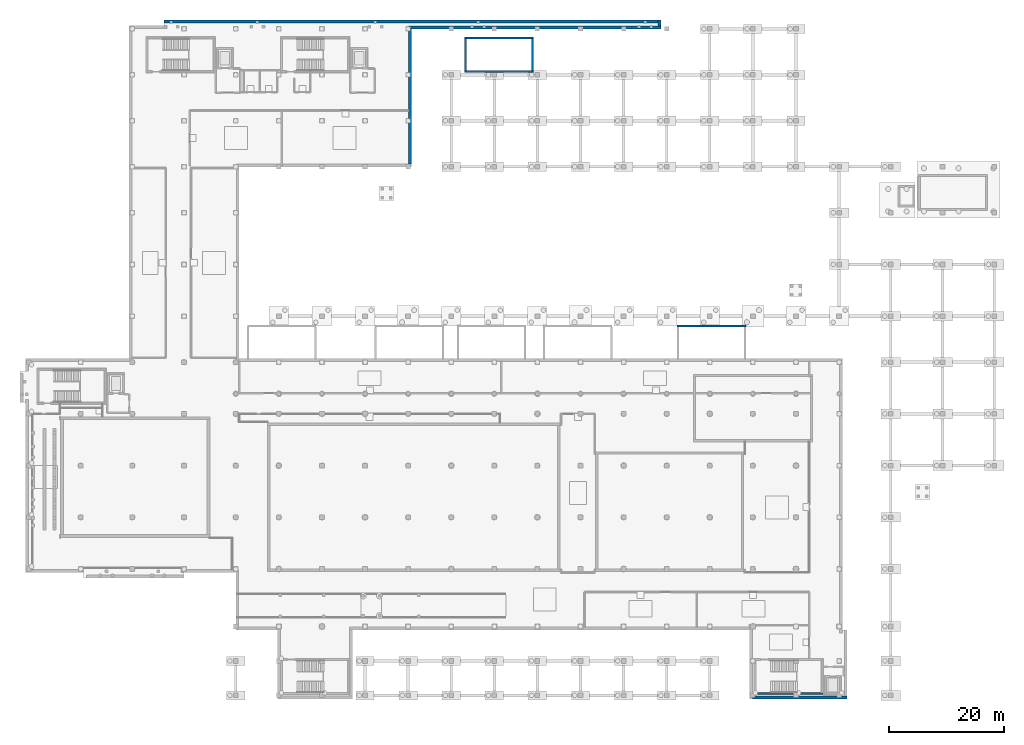
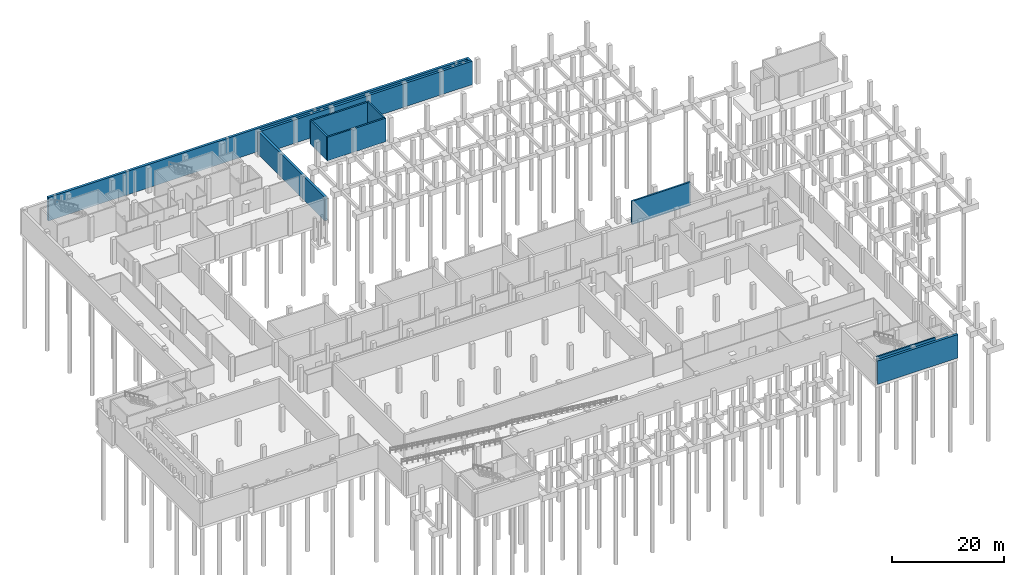
# One storey, part 14 of 19: 11 walls.
"""IFC4 building model written with IfcOpenShell, lengths in metres."""

from ifc_helpers import new_model, si_unit, direction, frame, frame_2d, origin, place, context, subcontext, project, spatial, rectangle, extrude, material, layer, layer_set, type_object, element, save


model = new_model("IFC4")

# Units and contexts
model_context = context("Model", 3, precision=1e-05, world=origin(), true_north=direction((0.0, 1.0)))
body_context = subcontext(model_context, "Body", "Model", "MODEL_VIEW")
ifc_project = project(units=[si_unit("LENGTHUNIT", "METRE"), si_unit("AREAUNIT", "SQUARE_METRE"), si_unit("VOLUMEUNIT", "CUBIC_METRE"), si_unit("PLANEANGLEUNIT", "RADIAN"), si_unit("MASSUNIT", "GRAM", prefix="KILO")], contexts=[model_context])

# Site, building, storey
site_placement = place(None, origin())
site = spatial("IfcSite", under=ifc_project, at=site_placement, CompositionType="ELEMENT")
building_placement = place(site_placement, origin())
building = spatial("IfcBuilding", under=site, at=building_placement, Name="Vourika Railside Aquatics Centre", CompositionType="ELEMENT")
storey_placement = place(building_placement, frame((0.0, 0.0, -5.39990234375)))
storey = spatial("IfcBuildingStorey", under=building, at=storey_placement, Name="B1", CompositionType="ELEMENT", Elevation=-5.39990234375)

# Walls
ifc_material = material(Name="Concrete C40/50", Category="concrete")
ifc_layer_1 = layer(ifc_material, 0.300048828125, Name="WL-CORE")
ifc_layer_set_1 = layer_set([ifc_layer_1], Name="Concrete C40/50")
wall_type_1 = type_object("IfcWallType", Name="WL-CORE", PredefinedType="SHEAR", material=ifc_layer_set_1)
wall_1_placement = place(storey_placement, frame((138.199951171875, 0.35009765625, 0.0), z_axis=(0.0, 0.0, 1.0), x_axis=(-1.0, 0.0, 0.0)))
element("IfcWall", 1, at=wall_1_placement, inside=storey, type_object=wall_type_1, Name="Protected Exit Stair Core ST06 South Wall (B1)", PredefinedType="SHEAR", context=body_context, shape_type="SweptSolid", body=[
    extrude(rectangle(XDim=12.0, YDim=0.300048828125, at=frame_2d((6.0, 0.0))), origin(), (0.0, 0.0, 1.0), 5.39990234375),
])
ifc_layer_2 = layer(ifc_material, 0.5, Name="WL-RET-500")
ifc_layer_set_2 = layer_set([ifc_layer_2], Name="Concrete C40/50")
wall_type_2 = type_object("IfcWallType", Name="WL-RET-500", PredefinedType="USERDEFINED", material=ifc_layer_set_2)
wall_2_placement = place(storey_placement, frame((23.5, 117.300048828125, 0.0), z_axis=(0.0, 0.0, 1.0), x_axis=(1.0, 0.0, 0.0)))
element("IfcWall", 2, at=wall_2_placement, inside=storey, type_object=wall_type_2, Name="Basement Retaining Wall RW-11", ObjectType="RETAININGWALL", PredefinedType="USERDEFINED", context=body_context, shape_type="SweptSolid", body=[
    extrude(rectangle(XDim=86.0, YDim=0.5, at=frame_2d((43.0, 0.0))), origin(), (0.0, 0.0, 1.0), 5.079833984375),
])
wall_3_placement = place(storey_placement, frame((109.75, 117.550048828125, 0.0), z_axis=(0.0, 0.0, 1.0), x_axis=(0.0, -1.0, 0.0)))
element("IfcWall", 3, at=wall_3_placement, inside=storey, type_object=wall_type_2, Name="Basement Retaining Wall RW-12", ObjectType="RETAININGWALL", PredefinedType="USERDEFINED", context=body_context, shape_type="SweptSolid", body=[
    extrude(rectangle(XDim=1.050048828125, YDim=0.5, at=frame_2d((0.52490234375, 0.0))), origin(), (0.0, 0.0, 1.0), 5.079833984375),
])
wall_4_placement = place(storey_placement, frame((110.0, 116.25, 0.0), z_axis=(0.0, 0.0, 1.0), x_axis=(-1.0, 0.0, 0.0)))
element("IfcWall", 4, at=wall_4_placement, inside=storey, type_object=wall_type_2, Name="Basement Retaining Wall RW-13", ObjectType="RETAININGWALL", PredefinedType="USERDEFINED", context=body_context, shape_type="SweptSolid", body=[
    extrude(rectangle(XDim=43.89990234375, YDim=0.5, at=frame_2d((21.949951171875, 0.0))), origin(), (0.0, 0.0, 1.0), 5.079833984375),
])
wall_5_placement = place(storey_placement, frame((66.35009765625, 116.0, 0.0), z_axis=(0.0, 0.0, 1.0), x_axis=(0.0, -1.0, 0.0)))
element("IfcWall", 5, at=wall_5_placement, inside=storey, type_object=wall_type_2, Name="Basement Retaining Wall RW-14", ObjectType="RETAININGWALL", PredefinedType="USERDEFINED", context=body_context, shape_type="SweptSolid", body=[
    extrude(rectangle(XDim=23.5, YDim=0.5, at=frame_2d((11.75, 0.0))), origin(), (0.0, 0.0, 1.0), 5.079833984375),
])
wall_6_placement = place(storey_placement, frame((142.39990234375, -0.35009765625, 0.0), z_axis=(0.0, 0.0, 1.0), x_axis=(-1.0, 0.0, 0.0)))
element("IfcWall", 6, at=wall_6_placement, inside=storey, type_object=wall_type_2, Name="Basement Retaining Wall RW-20", ObjectType="RETAININGWALL", PredefinedType="USERDEFINED", context=body_context, shape_type="SweptSolid", body=[
    extrude(rectangle(XDim=16.5, YDim=0.5, at=frame_2d((8.25, 0.0))), origin(), (0.0, 0.0, 1.0), 5.079833984375),
])
ifc_layer_3 = layer(ifc_material, 0.35009765625, Name="WL-TANK-350")
ifc_layer_set_3 = layer_set([ifc_layer_3], Name="Concrete C40/50")
wall_type_3 = type_object("IfcWallType", Name="WL-TANK-350", PredefinedType="SOLIDWALL", material=ifc_layer_set_3)
for number, where, z_axis, x_axis, name in (
    (7, (75.800048828125, 108.550048828125, 0.0), (0.0, 0.0, 1.0), (1.0, 0.0, 0.0), "Substructure Core Foundation Wall ST03-S"),
    (8, (87.800048828125, 114.449951171875, 0.0), (0.0, 0.0, 1.0), (-1.0, 0.0, 0.0), "Substructure Core Foundation Wall ST03-N"),
):
    element("IfcWall", number, at=place(storey_placement, frame(where, z_axis=z_axis, x_axis=x_axis)), inside=storey, type_object=wall_type_3, Name=name, PredefinedType="SOLIDWALL", context=body_context, shape_type="SweptSolid", body=[
        extrude(rectangle(XDim=12.0, YDim=0.35009765625, at=frame_2d((6.0, 0.0))), origin(), (0.0, 0.0, 1.0), 5.099853515625),
    ])
for number, where, z_axis, x_axis, name in (
    (9, (75.949951171875, 114.300048828125, 0.0), (0.0, 0.0, 1.0), (0.0, -1.0, 0.0), "Substructure Core Foundation Wall ST03-W"),
    (10, (87.64990234375, 108.699951171875, 0.0), (0.0, 0.0, 1.0), (0.0, 1.0, 0.0), "Substructure Core Foundation Wall ST03-E"),
):
    element("IfcWall", number, at=place(storey_placement, frame(where, z_axis=z_axis, x_axis=x_axis)), inside=storey, type_object=wall_type_3, Name=name, PredefinedType="SOLIDWALL", context=body_context, shape_type="SweptSolid", body=[
        extrude(rectangle(XDim=5.60009765625, YDim=0.35009765625, at=frame_2d((2.800048828125, 0.0))), origin(), (0.0, 0.0, 1.0), 5.099853515625),
    ])
wall_7_placement = place(storey_placement, frame((124.800048828125, 64.300048828125, 0.0), z_axis=(0.0, 0.0, 1.0), x_axis=(-1.0, 0.0, 0.0)))
element("IfcWall", 11, at=wall_7_placement, inside=storey, type_object=wall_type_3, Name="Substructure Core Foundation Wall ST10-N", PredefinedType="SOLIDWALL", context=body_context, shape_type="SweptSolid", body=[
    extrude(rectangle(XDim=12.0, YDim=0.35009765625, at=frame_2d((6.0, 0.0))), origin(), (0.0, 0.0, 1.0), 5.079833984375),
])

save(model, "model.ifc")
